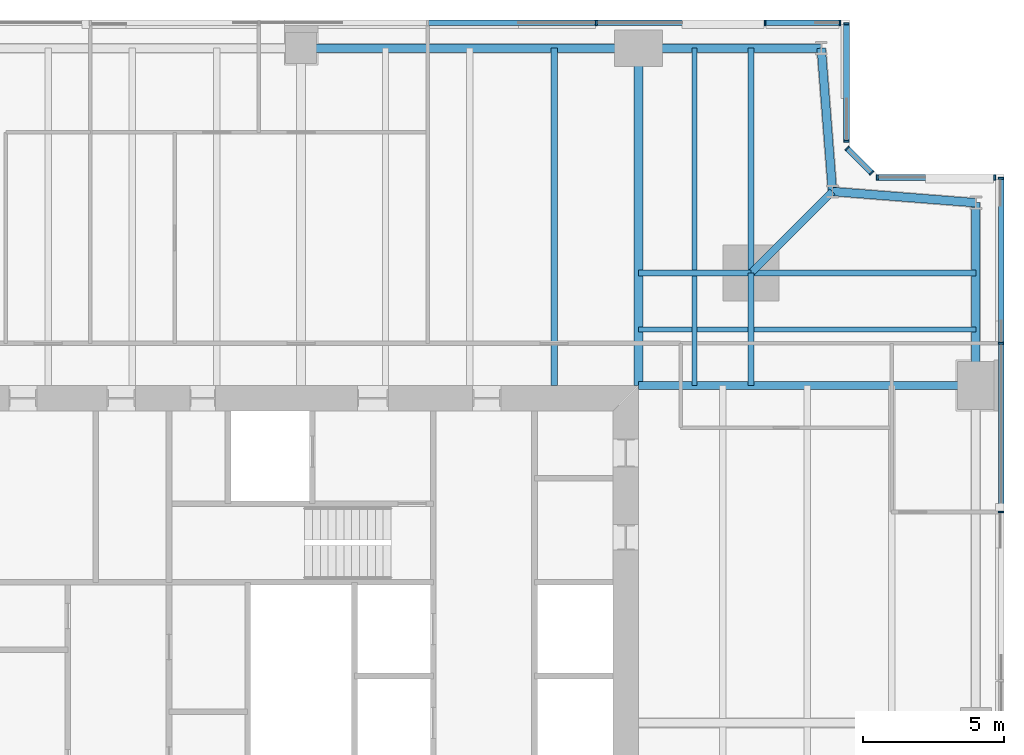
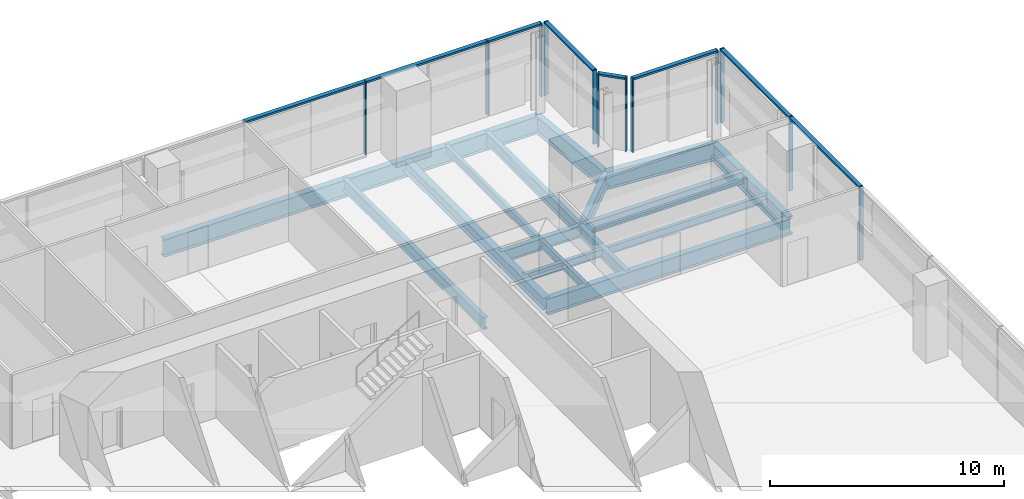
# One storey, part 7 of 15: 20 members, 18 beams, 5 elements without a shape of their own.
"""IFC4 building model written with IfcOpenShell, lengths in metres."""

from ifc_helpers import new_model, si_unit, direction, frame, origin, origin_2d, place, context, subcontext, project, spatial, rectangle, i_section, extrude, material, material_profile, profile_set, type_object, element, aggregate, save


model = new_model("IFC4")

# Units and contexts
model_context = context("Model", 3, precision=1e-05, world=origin(), true_north=direction((0.0, 1.0)))
body_context = subcontext(model_context, "Body", "Model", "MODEL_VIEW")
ifc_project = project(units=[si_unit("LENGTHUNIT", "METRE"), si_unit("AREAUNIT", "SQUARE_METRE"), si_unit("VOLUMEUNIT", "CUBIC_METRE"), si_unit("PLANEANGLEUNIT", "RADIAN"), si_unit("MASSUNIT", "GRAM", prefix="KILO")], contexts=[model_context])

# Site, building, storey
site_placement = place(None, origin())
site = spatial("IfcSite", under=ifc_project, at=site_placement, CompositionType="ELEMENT")
building_placement = place(site_placement, origin())
building = spatial("IfcBuilding", under=site, at=building_placement, Name="Fenwick Lantern Interchange", CompositionType="ELEMENT")
storey_placement = place(building_placement, frame((0.0, 0.0, 209.800048828125)))
storey = spatial("IfcBuildingStorey", under=building, at=storey_placement, Name="L49", CompositionType="ELEMENT", Elevation=209.800048828125)

# Beams
ifc_material_1 = material(Name="Steel ASTM A992 Grade 50", Category="steel")
ifc_material_profile_1 = material_profile(ifc_material_1, i_section(OverallWidth=0.3046875, OverallDepth=0.911865234375, WebThickness=0.015869140625, FlangeThickness=0.02392578125, at=origin_2d()), Name="W36X150")
ifc_profile_set_1 = profile_set([ifc_material_profile_1], Name="Steel ASTM A992 Grade 50")
beam_type_1 = type_object("IfcBeamType", Name="EDGE BEAM W36X150", PredefinedType="SPANDREL", material=ifc_profile_set_1)
beam_1_placement = place(storey_placement, frame((49.0, 37.0, -0.60595703125), z_axis=(0.0, 1.0, 0.0), x_axis=(-1.0, 0.0, 0.0)))
element("IfcBeam", 1, at=beam_1_placement, inside=storey, type_object=beam_type_1, Name="L49/FR/E/EB4", PredefinedType="SPANDREL", context=body_context, shape_type="SweptSolid", body=[
    extrude(i_section(OverallWidth=0.3046875, OverallDepth=0.911865234375, WebThickness=0.015869140625, FlangeThickness=0.02392578125, at=origin_2d()), origin(), (0.0, 0.0, 1.0), 6.5),
])
for number, where, z_axis, x_axis, name in (
    (2, (49.0, 43.5, -0.60595703125), (-0.99693998236, 0.078170784639, 0.0), (-0.078170784639, -0.99693998236, 0.0), "L49/FR/E/EBR1"),
    (3, (43.89990234375, 43.89990234375, -0.60595703125), (-0.078170784639, 0.99693998236, 0.0), (-0.99693998236, -0.078170784639, 0.0), "L49/FR/E/EBR2"),
):
    element("IfcBeam", number, at=place(storey_placement, frame(where, z_axis=z_axis, x_axis=x_axis)), inside=storey, type_object=beam_type_1, Name=name, PredefinedType="SPANDREL", context=body_context, shape_type="SweptSolid", body=[
        extrude(i_section(OverallWidth=0.3046875, OverallDepth=0.911865234375, WebThickness=0.015869140625, FlangeThickness=0.02392578125, at=origin_2d()), origin(), (0.0, 0.0, 1.0), 5.11572265625),
    ])
beam_2_placement = place(storey_placement, frame((43.5, 49.0, -0.60595703125), z_axis=(-1.0, 0.0, 0.0), x_axis=(0.0, -1.0, 0.0)))
element("IfcBeam", 4, at=beam_2_placement, inside=storey, type_object=beam_type_1, Name="L49/FR/N/EB1", PredefinedType="SPANDREL", context=body_context, shape_type="SweptSolid", body=[
    extrude(i_section(OverallWidth=0.3046875, OverallDepth=0.911865234375, WebThickness=0.015869140625, FlangeThickness=0.02392578125, at=origin_2d()), origin(), (0.0, 0.0, 1.0), 6.5),
])
beam_3_placement = place(storey_placement, frame((37.0, 49.0, -0.60595703125), z_axis=(-1.0, 0.0, 0.0), x_axis=(0.0, -1.0, 0.0)))
element("IfcBeam", 5, at=beam_3_placement, inside=storey, type_object=beam_type_1, Name="L49/FR/N/EB2", PredefinedType="SPANDREL", context=body_context, shape_type="SweptSolid", body=[
    extrude(i_section(OverallWidth=0.3046875, OverallDepth=0.911865234375, WebThickness=0.015869140625, FlangeThickness=0.02392578125, at=origin_2d()), origin(), (0.0, 0.0, 1.0), 12.0),
])
ifc_material_profile_2 = material_profile(ifc_material_1, i_section(OverallWidth=0.22900390625, OverallDepth=0.612060546875, WebThickness=0.011962890625, FlangeThickness=0.01953125, at=origin_2d()), Name="W24X84")
ifc_profile_set_2 = profile_set([ifc_material_profile_2], Name="Steel ASTM A992 Grade 50")
beam_type_2 = type_object("IfcBeamType", Name="FLOOR BEAM W24X84", PredefinedType="BEAM", material=ifc_profile_set_2)
beam_4_placement = place(storey_placement, frame((34.0, 49.0, -0.4560546875), z_axis=(0.0, -1.0, 0.0), x_axis=(1.0, 0.0, 0.0)))
element("IfcBeam", 6, at=beam_4_placement, inside=storey, type_object=beam_type_2, Name="L49/FR/N/R02", PredefinedType="BEAM", context=body_context, shape_type="SweptSolid", body=[
    extrude(i_section(OverallWidth=0.22900390625, OverallDepth=0.612060546875, WebThickness=0.011962890625, FlangeThickness=0.01953125, at=origin_2d()), origin(), (0.0, 0.0, 1.0), 12.0),
])
ifc_material_profile_3 = material_profile(ifc_material_1, i_section(OverallWidth=0.177734375, OverallDepth=0.406494140625, WebThickness=0.0078125, FlangeThickness=0.012939453125, at=origin_2d()), Name="W16X40")
ifc_profile_set_3 = profile_set([ifc_material_profile_3], Name="Steel ASTM A992 Grade 50")
beam_type_3 = type_object("IfcBeamType", Name="INFILL BEAM W16X40", PredefinedType="JOIST", material=ifc_profile_set_3)
beam_5_placement = place(storey_placement, frame((39.0, 49.0, -0.353271484375), z_axis=(0.0, -1.0, 0.0), x_axis=(1.0, 0.0, 0.0)))
element("IfcBeam", 7, at=beam_5_placement, inside=storey, type_object=beam_type_3, Name="L49/FR/N/J1", PredefinedType="JOIST", context=body_context, shape_type="SweptSolid", body=[
    extrude(i_section(OverallWidth=0.177734375, OverallDepth=0.406494140625, WebThickness=0.0078125, FlangeThickness=0.012939453125, at=origin_2d()), origin(), (0.0, 0.0, 1.0), 7.885498046875),
])
beam_6_placement = place(storey_placement, frame((39.0, 40.885498046875, -0.353271484375), z_axis=(0.0, -1.0, 0.0), x_axis=(1.0, 0.0, 0.0)))
element("IfcBeam", 8, at=beam_6_placement, inside=storey, type_object=beam_type_3, Name="L49/FR/N/J2", PredefinedType="JOIST", context=body_context, shape_type="SweptSolid", body=[
    extrude(i_section(OverallWidth=0.177734375, OverallDepth=0.406494140625, WebThickness=0.0078125, FlangeThickness=0.012939453125, at=origin_2d()), origin(), (0.0, 0.0, 1.0), 3.885498046875),
])
beam_7_placement = place(storey_placement, frame((49.0, 39.0, -0.353271484375), z_axis=(-1.0, 0.0, 0.0), x_axis=(0.0, -1.0, 0.0)))
element("IfcBeam", 9, at=beam_7_placement, inside=storey, type_object=beam_type_3, Name="L49/FR/N/J3", PredefinedType="JOIST", context=body_context, shape_type="SweptSolid", body=[
    extrude(i_section(OverallWidth=0.177734375, OverallDepth=0.406494140625, WebThickness=0.0078125, FlangeThickness=0.012939453125, at=origin_2d()), origin(), (0.0, 0.0, 1.0), 7.885498046875),
])
beam_8_placement = place(storey_placement, frame((40.885498046875, 39.0, -0.353271484375), z_axis=(-1.0, 0.0, 0.0), x_axis=(0.0, -1.0, 0.0)))
element("IfcBeam", 10, at=beam_8_placement, inside=storey, type_object=beam_type_3, Name="L49/FR/N/J4", PredefinedType="JOIST", context=body_context, shape_type="SweptSolid", body=[
    extrude(i_section(OverallWidth=0.177734375, OverallDepth=0.406494140625, WebThickness=0.0078125, FlangeThickness=0.012939453125, at=origin_2d()), origin(), (0.0, 0.0, 1.0), 1.796630859375),
])
beam_9_placement = place(storey_placement, frame((38.9111328125, 39.0, -0.353271484375), z_axis=(-1.0, 0.0, 0.0), x_axis=(0.0, -1.0, 0.0)))
element("IfcBeam", 11, at=beam_9_placement, inside=storey, type_object=beam_type_3, Name="L49/FR/N/J5", PredefinedType="JOIST", context=body_context, shape_type="SweptSolid", body=[
    extrude(i_section(OverallWidth=0.177734375, OverallDepth=0.406494140625, WebThickness=0.0078125, FlangeThickness=0.012939453125, at=origin_2d()), origin(), (0.0, 0.0, 1.0), 1.9111328125),
])
ifc_material_profile_4 = material_profile(ifc_material_1, i_section(OverallWidth=0.22900390625, OverallDepth=0.612060546875, WebThickness=0.011962890625, FlangeThickness=0.01953125, at=origin_2d()), Name="W24X84")
ifc_profile_set_4 = profile_set([ifc_material_profile_4], Name="Steel ASTM A992 Grade 50")
beam_type_4 = type_object("IfcBeamType", Name="MEGA COLUMN BEAM W24X84", PredefinedType="BEAM", material=ifc_profile_set_4)
for number, where, z_axis, x_axis, name in (
    (12, (41.0, 41.0, -0.4560546875), (0.0, 1.0, 0.0), (-1.0, 0.0, 0.0), "L49/FR/N/MB1"),
    (13, (41.0, 41.0, -0.4560546875), (1.0, 0.0, 0.0), (0.0, 1.0, 0.0), "L49/FR/N/MB2"),
):
    element("IfcBeam", number, at=place(storey_placement, frame(where, z_axis=z_axis, x_axis=x_axis)), inside=storey, type_object=beam_type_4, Name=name, PredefinedType="BEAM", context=body_context, shape_type="SweptSolid", body=[
        extrude(i_section(OverallWidth=0.22900390625, OverallDepth=0.612060546875, WebThickness=0.011962890625, FlangeThickness=0.01953125, at=origin_2d()), origin(), (0.0, 0.0, 1.0), 8.0),
    ])
for number, where, z_axis, x_axis, name in (
    (14, (41.0, 41.0, -0.4560546875), (-1.0, 0.0, 0.0), (0.0, -1.0, 0.0), "L49/FR/N/MB3"),
    (15, (41.0, 41.0, -0.4560546875), (0.0, -1.0, 0.0), (1.0, 0.0, 0.0), "L49/FR/N/MB4"),
):
    element("IfcBeam", number, at=place(storey_placement, frame(where, z_axis=z_axis, x_axis=x_axis)), inside=storey, type_object=beam_type_4, Name=name, PredefinedType="BEAM", context=body_context, shape_type="SweptSolid", body=[
        extrude(i_section(OverallWidth=0.22900390625, OverallDepth=0.612060546875, WebThickness=0.011962890625, FlangeThickness=0.01953125, at=origin_2d()), origin(), (0.0, 0.0, 1.0), 4.0),
    ])
ifc_material_profile_5 = material_profile(ifc_material_1, i_section(OverallWidth=0.32763671875, OverallDepth=0.622314453125, WebThickness=0.015380859375, FlangeThickness=0.0244140625, at=origin_2d()), Name="W24X131")
ifc_profile_set_5 = profile_set([ifc_material_profile_5], Name="Steel ASTM A992 Grade 50")
beam_type_5 = type_object("IfcBeamType", Name="MOMENT-CONNECTED GIRDER W24X131", PredefinedType="BEAM", material=ifc_profile_set_5)
beam_10_placement = place(storey_placement, frame((37.0, 49.0, -0.461181640625), z_axis=(0.0, -1.0, 0.0), x_axis=(1.0, 0.0, 0.0)))
element("IfcBeam", 16, at=beam_10_placement, inside=storey, type_object=beam_type_5, Name="L49/FR/N/R01", PredefinedType="BEAM", context=body_context, shape_type="SweptSolid", body=[
    extrude(i_section(OverallWidth=0.32763671875, OverallDepth=0.622314453125, WebThickness=0.015380859375, FlangeThickness=0.0244140625, at=origin_2d()), origin(), (0.0, 0.0, 1.0), 12.0),
])
ifc_material_profile_6 = material_profile(ifc_material_1, i_section(OverallWidth=0.2919921875, OverallDepth=0.845703125, WebThickness=0.015380859375, FlangeThickness=0.0244140625, at=origin_2d()), Name="W33X141")
ifc_profile_set_6 = profile_set([ifc_material_profile_6], Name="Steel ASTM A992 Grade 50")
beam_type_6 = type_object("IfcBeamType", Name="MOMENT-CONNECTED GIRDER W33X141", PredefinedType="BEAM", material=ifc_profile_set_6)
beam_11_placement = place(storey_placement, frame((49.0, 37.0, -0.572998046875), z_axis=(-1.0, 0.0, 0.0), x_axis=(0.0, -1.0, 0.0)))
element("IfcBeam", 17, at=beam_11_placement, inside=storey, type_object=beam_type_6, Name="L49/FR/E/R03", PredefinedType="BEAM", context=body_context, shape_type="SweptSolid", body=[
    extrude(i_section(OverallWidth=0.2919921875, OverallDepth=0.845703125, WebThickness=0.015380859375, FlangeThickness=0.0244140625, at=origin_2d()), origin(), (0.0, 0.0, 1.0), 12.0),
])
ifc_material_profile_7 = material_profile(ifc_material_1, i_section(OverallWidth=0.2666015625, OverallDepth=0.7568359375, WebThickness=0.013916015625, FlangeThickness=0.019287109375, at=origin_2d()), Name="W30X108")
ifc_profile_set_7 = profile_set([ifc_material_profile_7], Name="Steel ASTM A992 Grade 50")
beam_type_7 = type_object("IfcBeamType", Name="NOTCH BEAM W30X108", PredefinedType="BEAM", material=ifc_profile_set_7)
beam_12_placement = place(storey_placement, frame((41.0, 41.0, -0.528564453125), z_axis=(0.707106781187, 0.707106781187, 0.0), x_axis=(-0.707106781187, 0.707106781187, 0.0)))
element("IfcBeam", 18, at=beam_12_placement, inside=storey, type_object=beam_type_7, Name="L49/FR/N/TG", PredefinedType="BEAM", context=body_context, shape_type="SweptSolid", body=[
    extrude(i_section(OverallWidth=0.2666015625, OverallDepth=0.7568359375, WebThickness=0.013916015625, FlangeThickness=0.019287109375, at=origin_2d()), origin(), (0.0, 0.0, 1.0), 4.10107421875),
])

# Curtain wall, members
ifc_material_2 = material(Name="Aluminium curtain wall frame", Category="aluminium")
curtain_wall_type = type_object("IfcCurtainWallType", Name="OFFICE CURTAIN WALL", PredefinedType="USERDEFINED", material=ifc_material_2)
curtain_wall_1_placement = place(storey_placement, origin())
curtain_wall_1 = element("IfcCurtainWall", 19, at=curtain_wall_1_placement, inside=storey, type_object=curtain_wall_type, Name="Office curtain wall 05", ObjectType="OFFICE CURTAIN WALL", PredefinedType="USERDEFINED")
ifc_material_3 = material(Name="Aluminium extrusion", Category="aluminium")
ifc_material_profile_8 = material_profile(ifc_material_3, rectangle(XDim=0.199951171875, YDim=0.06494140625, at=origin_2d()), Name="OFFICE CURTAIN WALL MULLION 65 X 200")
ifc_profile_set_8 = profile_set([ifc_material_profile_8], Name="Aluminium extrusion")
member_type_1 = type_object("IfcMemberType", Name="OFFICE CURTAIN WALL MULLION 65 X 200", PredefinedType="MULLION", material=ifc_profile_set_8)
member_1_placement = place(storey_placement, frame((49.89990234375, 32.5, 0.0), z_axis=(0.0, 0.0, 1.0), x_axis=(-1.0, 0.0, 0.0)))
member_1 = element("IfcMember", 20, at=member_1_placement, type_object=member_type_1, Name="L49/CW/05/M05", PredefinedType="MULLION", context=body_context, shape_type="SweptSolid", body=[
    extrude(rectangle(XDim=0.199951171875, YDim=0.06494140625, at=origin_2d()), origin(), (0.0, 0.0, 1.0), 3.849853515625),
])
member_2_placement = place(storey_placement, frame((49.89990234375, 38.5, 0.0), z_axis=(0.0, 0.0, 1.0), x_axis=(-1.0, 0.0, 0.0)))
member_2 = element("IfcMember", 21, at=member_2_placement, type_object=member_type_1, Name="L49/CW/05/M06", PredefinedType="MULLION", context=body_context, shape_type="SweptSolid", body=[
    extrude(rectangle(XDim=0.199951171875, YDim=0.06494140625, at=origin_2d()), origin(), (0.0, 0.0, 1.0), 3.849853515625),
])
member_3_placement = place(storey_placement, frame((49.89990234375, 44.367431640625, 0.0), z_axis=(0.0, 0.0, 1.0), x_axis=(-1.0, 0.0, 0.0)))
member_3 = element("IfcMember", 22, at=member_3_placement, type_object=member_type_1, Name="L49/CW/05/M07", PredefinedType="MULLION", context=body_context, shape_type="SweptSolid", body=[
    extrude(rectangle(XDim=0.199951171875, YDim=0.06494140625, at=origin_2d()), origin(), (0.0, 0.0, 1.0), 3.849853515625),
])

curtain_wall_2_placement = place(storey_placement, origin())
curtain_wall_2 = element("IfcCurtainWall", 23, at=curtain_wall_2_placement, inside=storey, type_object=curtain_wall_type, Name="Office curtain wall 06", ObjectType="OFFICE CURTAIN WALL", PredefinedType="USERDEFINED")
member_4_placement = place(storey_placement, frame((49.66748046875, 44.39990234375, 0.0), z_axis=(0.0, 0.0, 1.0), x_axis=(0.0, -1.0, 0.0)))
member_4 = element("IfcMember", 24, at=member_4_placement, type_object=member_type_1, Name="L49/CW/06/M00", PredefinedType="MULLION", context=body_context, shape_type="SweptSolid", body=[
    extrude(rectangle(XDim=0.199951171875, YDim=0.06494140625, at=origin_2d()), origin(), (0.0, 0.0, 1.0), 3.849853515625),
])
member_5_placement = place(storey_placement, frame((45.490966796875, 44.39990234375, 0.0), z_axis=(0.0, 0.0, 1.0), x_axis=(0.0, -1.0, 0.0)))
member_5 = element("IfcMember", 25, at=member_5_placement, type_object=member_type_1, Name="L49/CW/06/M01", PredefinedType="MULLION", context=body_context, shape_type="SweptSolid", body=[
    extrude(rectangle(XDim=0.199951171875, YDim=0.06494140625, at=origin_2d()), origin(), (0.0, 0.0, 1.0), 3.849853515625),
])

curtain_wall_3_placement = place(storey_placement, origin())
curtain_wall_3 = element("IfcCurtainWall", 26, at=curtain_wall_3_placement, inside=storey, type_object=curtain_wall_type, Name="Office curtain wall 07", ObjectType="OFFICE CURTAIN WALL", PredefinedType="USERDEFINED")
member_6_placement = place(storey_placement, frame((45.294189453125, 44.564453125, 0.0), z_axis=(0.0, 0.0, 1.0), x_axis=(-0.707106781187, -0.707106781187, 0.0)))
member_6 = element("IfcMember", 27, at=member_6_placement, type_object=member_type_1, Name="L49/CW/07/M00", PredefinedType="MULLION", context=body_context, shape_type="SweptSolid", body=[
    extrude(rectangle(XDim=0.199951171875, YDim=0.06494140625, at=origin_2d()), origin(), (0.0, 0.0, 1.0), 3.849853515625),
])
member_7_placement = place(storey_placement, frame((44.423095703125, 45.435546875, 0.0), z_axis=(0.0, 0.0, 1.0), x_axis=(-0.707106781187, -0.707106781187, 0.0)))
member_7 = element("IfcMember", 28, at=member_7_placement, type_object=member_type_1, Name="L49/CW/07/M01", PredefinedType="MULLION", context=body_context, shape_type="SweptSolid", body=[
    extrude(rectangle(XDim=0.199951171875, YDim=0.06494140625, at=origin_2d()), origin(), (0.0, 0.0, 1.0), 3.849853515625),
])

curtain_wall_4_placement = place(storey_placement, origin())
curtain_wall_4 = element("IfcCurtainWall", 29, at=curtain_wall_4_placement, inside=storey, type_object=curtain_wall_type, Name="Office curtain wall 08", ObjectType="OFFICE CURTAIN WALL", PredefinedType="USERDEFINED")
member_8_placement = place(storey_placement, frame((44.39990234375, 45.691162109375, 0.0), z_axis=(0.0, 0.0, 1.0), x_axis=(-1.0, 0.0, 0.0)))
member_8 = element("IfcMember", 30, at=member_8_placement, type_object=member_type_1, Name="L49/CW/08/M00", PredefinedType="MULLION", context=body_context, shape_type="SweptSolid", body=[
    extrude(rectangle(XDim=0.199951171875, YDim=0.06494140625, at=origin_2d()), origin(), (0.0, 0.0, 1.0), 3.849853515625),
])
member_9_placement = place(storey_placement, frame((44.39990234375, 49.867431640625, 0.0), z_axis=(0.0, 0.0, 1.0), x_axis=(-1.0, 0.0, 0.0)))
member_9 = element("IfcMember", 31, at=member_9_placement, type_object=member_type_1, Name="L49/CW/08/M01", PredefinedType="MULLION", context=body_context, shape_type="SweptSolid", body=[
    extrude(rectangle(XDim=0.199951171875, YDim=0.06494140625, at=origin_2d()), origin(), (0.0, 0.0, 1.0), 3.849853515625),
])

curtain_wall_5_placement = place(storey_placement, origin())
curtain_wall_5 = element("IfcCurtainWall", 32, at=curtain_wall_5_placement, inside=storey, type_object=curtain_wall_type, Name="Office curtain wall 09", ObjectType="OFFICE CURTAIN WALL", PredefinedType="USERDEFINED")
member_10_placement = place(storey_placement, frame((44.16748046875, 49.89990234375, 0.0), z_axis=(0.0, 0.0, 1.0), x_axis=(0.0, -1.0, 0.0)))
member_10 = element("IfcMember", 33, at=member_10_placement, type_object=member_type_1, Name="L49/CW/09/M00", PredefinedType="MULLION", context=body_context, shape_type="SweptSolid", body=[
    extrude(rectangle(XDim=0.199951171875, YDim=0.06494140625, at=origin_2d()), origin(), (0.0, 0.0, 1.0), 3.849853515625),
])
member_11_placement = place(storey_placement, frame((41.5, 49.89990234375, 0.0), z_axis=(0.0, 0.0, 1.0), x_axis=(0.0, -1.0, 0.0)))
member_11 = element("IfcMember", 34, at=member_11_placement, type_object=member_type_1, Name="L49/CW/09/M01", PredefinedType="MULLION", context=body_context, shape_type="SweptSolid", body=[
    extrude(rectangle(XDim=0.199951171875, YDim=0.06494140625, at=origin_2d()), origin(), (0.0, 0.0, 1.0), 3.849853515625),
])
member_12_placement = place(storey_placement, frame((35.5, 49.89990234375, 0.0), z_axis=(0.0, 0.0, 1.0), x_axis=(0.0, -1.0, 0.0)))
member_12 = element("IfcMember", 35, at=member_12_placement, type_object=member_type_1, Name="L49/CW/09/M02", PredefinedType="MULLION", context=body_context, shape_type="SweptSolid", body=[
    extrude(rectangle(XDim=0.199951171875, YDim=0.06494140625, at=origin_2d()), origin(), (0.0, 0.0, 1.0), 3.849853515625),
])

# Member
ifc_material_profile_9 = material_profile(ifc_material_3, rectangle(XDim=0.199951171875, YDim=0.10009765625, at=origin_2d()), Name="OFFICE CURTAIN WALL TRANSOM 100 X 200")
ifc_profile_set_9 = profile_set([ifc_material_profile_9], Name="Aluminium extrusion")
member_type_2 = type_object("IfcMemberType", Name="OFFICE CURTAIN WALL TRANSOM 100 X 200", PredefinedType="MULLION", material=ifc_profile_set_9)
member_13_placement = place(storey_placement, frame((49.89990234375, 32.532470703125, 3.800048828125), z_axis=(0.0, 1.0, 0.0), x_axis=(-1.0, 0.0, 0.0)))
member_13 = element("IfcMember", 36, at=member_13_placement, type_object=member_type_2, Name="L49/CW/05/T05", PredefinedType="MULLION", context=body_context, shape_type="SweptSolid", body=[
    extrude(rectangle(XDim=0.199951171875, YDim=0.10009765625, at=origin_2d()), origin(), (0.0, 0.0, 1.0), 5.93505859375),
])

member_14_placement = place(storey_placement, frame((49.89990234375, 38.532470703125, 3.800048828125), z_axis=(0.0, 1.0, 0.0), x_axis=(-1.0, 0.0, 0.0)))
member_14 = element("IfcMember", 37, at=member_14_placement, type_object=member_type_2, Name="L49/CW/05/T06", PredefinedType="MULLION", context=body_context, shape_type="SweptSolid", body=[
    extrude(rectangle(XDim=0.199951171875, YDim=0.10009765625, at=origin_2d()), origin(), (0.0, 0.0, 1.0), 5.802490234375),
])

aggregate(curtain_wall_1, [member_1, member_2, member_3, member_13, member_14])

member_15_placement = place(storey_placement, frame((49.635009765625, 44.39990234375, 3.800048828125), z_axis=(-1.0, 0.0, 0.0), x_axis=(0.0, -1.0, 0.0)))
member_15 = element("IfcMember", 38, at=member_15_placement, type_object=member_type_2, Name="L49/CW/06/T00", PredefinedType="MULLION", context=body_context, shape_type="SweptSolid", body=[
    extrude(rectangle(XDim=0.199951171875, YDim=0.10009765625, at=origin_2d()), origin(), (0.0, 0.0, 1.0), 4.111328125),
])

aggregate(curtain_wall_2, [member_4, member_5, member_15])

member_16_placement = place(storey_placement, frame((45.271240234375, 44.58740234375, 3.800048828125), z_axis=(-0.707106781187, 0.707106781187, 0.0), x_axis=(-0.707106781187, -0.707106781187, 0.0)))
member_16 = element("IfcMember", 39, at=member_16_placement, type_object=member_type_2, Name="L49/CW/07/T00", PredefinedType="MULLION", context=body_context, shape_type="SweptSolid", body=[
    extrude(rectangle(XDim=0.199951171875, YDim=0.10009765625, at=origin_2d()), origin(), (0.0, 0.0, 1.0), 1.1669921875),
])

aggregate(curtain_wall_3, [member_6, member_7, member_16])

member_17_placement = place(storey_placement, frame((44.39990234375, 45.7236328125, 3.800048828125), z_axis=(0.0, 1.0, 0.0), x_axis=(-1.0, 0.0, 0.0)))
member_17 = element("IfcMember", 40, at=member_17_placement, type_object=member_type_2, Name="L49/CW/08/T00", PredefinedType="MULLION", context=body_context, shape_type="SweptSolid", body=[
    extrude(rectangle(XDim=0.199951171875, YDim=0.10009765625, at=origin_2d()), origin(), (0.0, 0.0, 1.0), 4.111328125),
])

aggregate(curtain_wall_4, [member_8, member_9, member_17])

member_18_placement = place(storey_placement, frame((44.135009765625, 49.89990234375, 3.800048828125), z_axis=(-1.0, 0.0, 0.0), x_axis=(0.0, -1.0, 0.0)))
member_18 = element("IfcMember", 41, at=member_18_placement, type_object=member_type_2, Name="L49/CW/09/T00", PredefinedType="MULLION", context=body_context, shape_type="SweptSolid", body=[
    extrude(rectangle(XDim=0.199951171875, YDim=0.10009765625, at=origin_2d()), origin(), (0.0, 0.0, 1.0), 2.6025390625),
])

member_19_placement = place(storey_placement, frame((41.467529296875, 49.89990234375, 3.800048828125), z_axis=(-1.0, 0.0, 0.0), x_axis=(0.0, -1.0, 0.0)))
member_19 = element("IfcMember", 42, at=member_19_placement, type_object=member_type_2, Name="L49/CW/09/T01", PredefinedType="MULLION", context=body_context, shape_type="SweptSolid", body=[
    extrude(rectangle(XDim=0.199951171875, YDim=0.10009765625, at=origin_2d()), origin(), (0.0, 0.0, 1.0), 5.93505859375),
])

member_20_placement = place(storey_placement, frame((35.467529296875, 49.89990234375, 3.800048828125), z_axis=(-1.0, 0.0, 0.0), x_axis=(0.0, -1.0, 0.0)))
member_20 = element("IfcMember", 43, at=member_20_placement, type_object=member_type_2, Name="L49/CW/09/T02", PredefinedType="MULLION", context=body_context, shape_type="SweptSolid", body=[
    extrude(rectangle(XDim=0.199951171875, YDim=0.10009765625, at=origin_2d()), origin(), (0.0, 0.0, 1.0), 5.93505859375),
])

aggregate(curtain_wall_5, [member_10, member_11, member_12, member_18, member_19, member_20])

save(model, "model.ifc")
